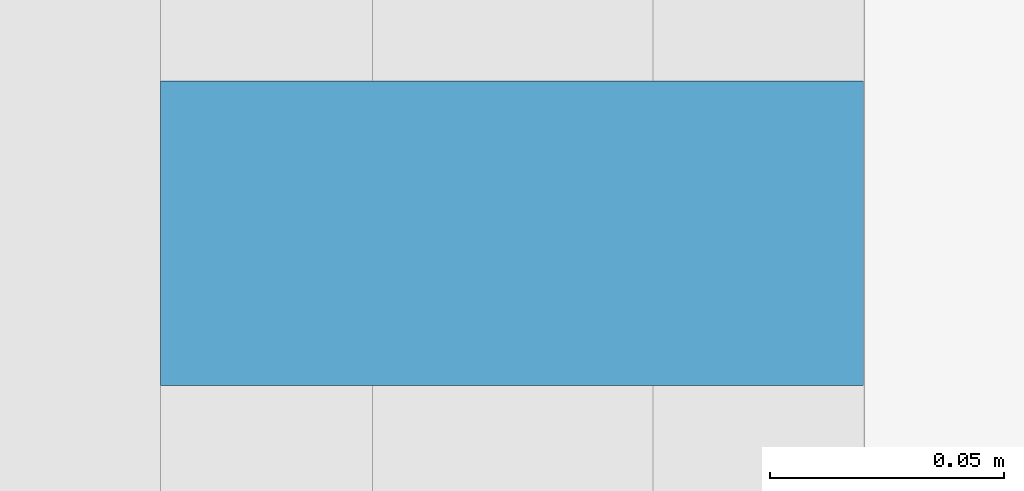
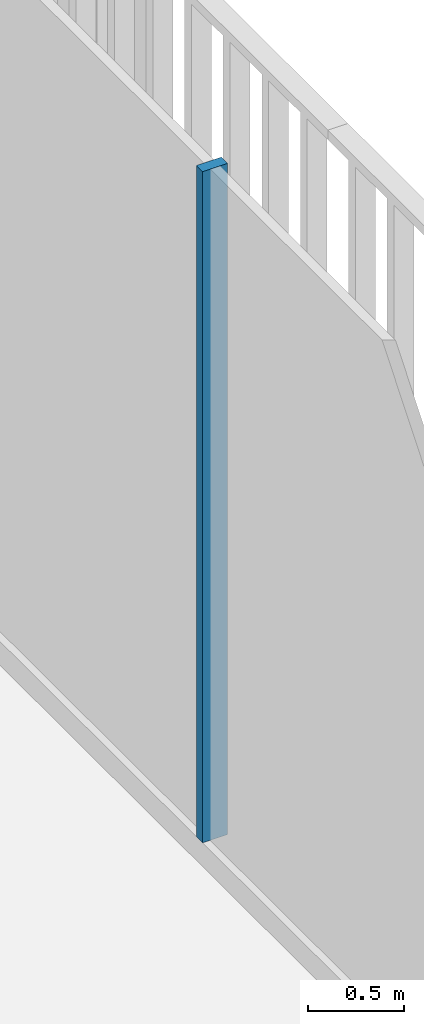
# One storey, part 10 of 20: 1 member, 1 element without a shape of its own.
"""IFC4 building model written with IfcOpenShell, lengths in metres."""

from ifc_helpers import new_model, si_unit, direction, frame, origin, origin_2d, place, context, subcontext, project, spatial, rectangle, extrude, material, layer, layer_set, material_profile, profile_set, type_object, element, aggregate, save


model = new_model("IFC4")

# Units and contexts
model_context = context("Model", 3, precision=1e-05, world=origin(), true_north=direction((0.0, 1.0)))
body_context = subcontext(model_context, "Body", "Model", "MODEL_VIEW")
ifc_project = project(units=[si_unit("LENGTHUNIT", "METRE"), si_unit("AREAUNIT", "SQUARE_METRE"), si_unit("VOLUMEUNIT", "CUBIC_METRE"), si_unit("PLANEANGLEUNIT", "RADIAN"), si_unit("MASSUNIT", "GRAM", prefix="KILO")], contexts=[model_context])

# Site, building, storey
site_placement = place(None, origin())
site = spatial("IfcSite", under=ifc_project, at=site_placement, CompositionType="ELEMENT")
building_placement = place(site_placement, origin())
building = spatial("IfcBuilding", under=site, at=building_placement, Name="Millrace Tower", CompositionType="ELEMENT")
storey_placement = place(building_placement, frame((0.0, 0.0, 99.60009765625)))
storey = spatial("IfcBuildingStorey", under=building, at=storey_placement, Name="L22", CompositionType="ELEMENT", Elevation=99.60009765625)

# Curtain wall, member
ifc_material_1 = material(Name="Aluminium and glass", Category="aluminium")
ifc_layer = layer(ifc_material_1, 0.14990234375)
ifc_layer_set = layer_set([ifc_layer], Name="Aluminium and glass")
curtain_wall_type = type_object("IfcCurtainWallType", Name="CW-3 telecom floor curtain wall", PredefinedType="NOTDEFINED", material=ifc_layer_set)
curtain_wall_placement = place(storey_placement, origin())
curtain_wall = element("IfcCurtainWall", 1, at=curtain_wall_placement, inside=storey, type_object=curtain_wall_type, Name="Curtain wall B-F04 L22", PredefinedType="NOTDEFINED")
ifc_material_2 = material(Name="Aluminium", Category="aluminium")
ifc_material_profile = material_profile(ifc_material_2, rectangle(XDim=0.06494140625, YDim=0.14990234375, at=origin_2d()))
ifc_profile_set = profile_set([ifc_material_profile], Name="Aluminium")
member_type = type_object("IfcMemberType", Name="CW-3 telecom floor curtain wall mullion", PredefinedType="MULLION", material=ifc_profile_set)
member_placement = place(storey_placement, frame((28.27490234375, -2.66748046875, 0.14990234375), z_axis=(0.0, 0.0, 1.0), x_axis=(0.0, 1.0, 0.0)))
member = element("IfcMember", 2, at=member_placement, type_object=member_type, Name="CW3 mullion B-F04.6", PredefinedType="MULLION", context=body_context, shape_type="SweptSolid", body=[
    extrude(rectangle(XDim=0.06494140625, YDim=0.14990234375, at=origin_2d()), origin(), (0.0, 0.0, 1.0), 4.25),
])
aggregate(curtain_wall, [member])

save(model, "model.ifc")
